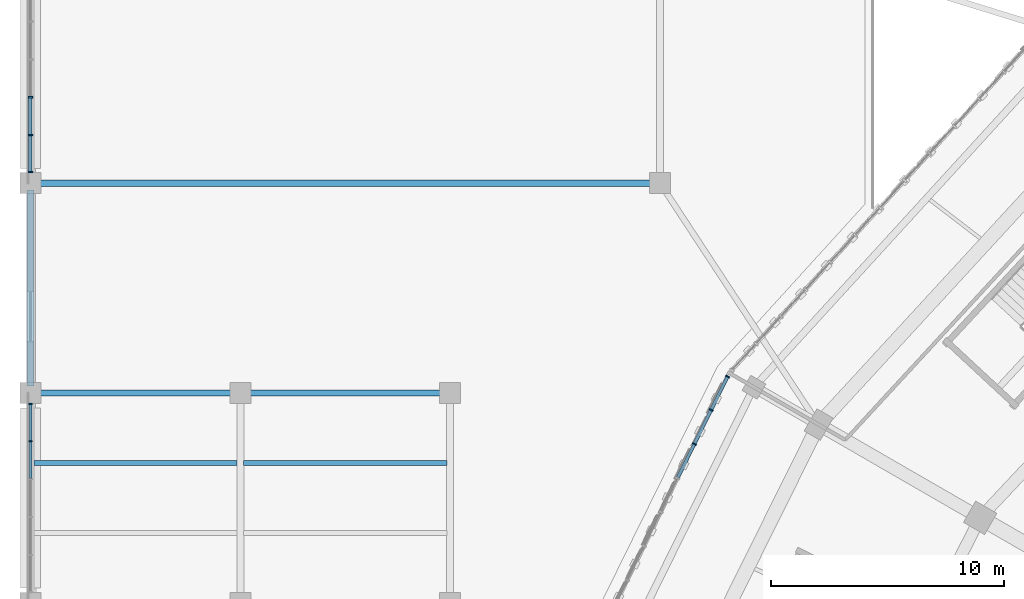
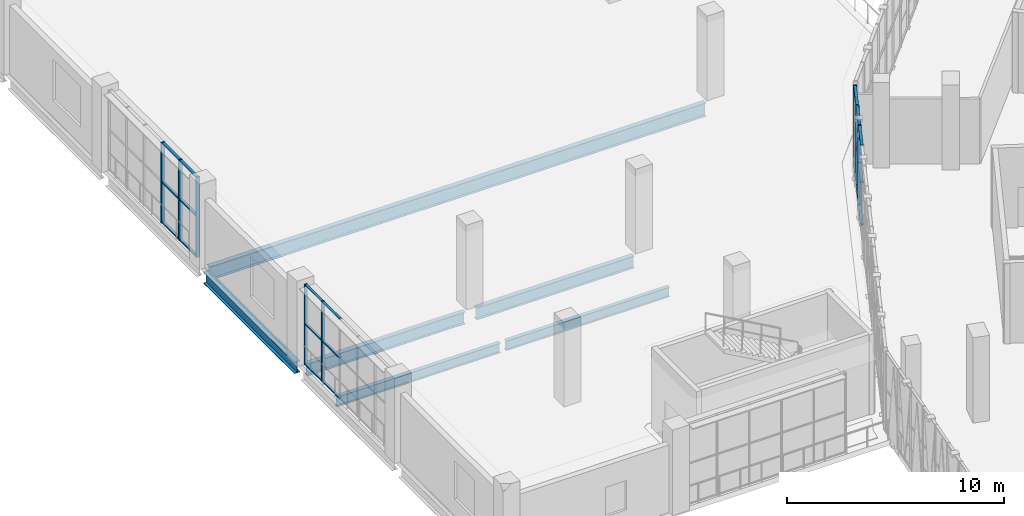
# One storey, part 43 of 183: 29 members, 6 beams, 3 elements without a shape of their own.
"""IFC4 building model written with IfcOpenShell, lengths in metres."""

from ifc_helpers import new_model, si_unit, direction, frame, origin, origin_2d, place, context, subcontext, project, spatial, rectangle, i_section, extrude, material, material_profile, profile_set, type_object, element, aggregate, save


model = new_model("IFC4")

# Units and contexts
model_context = context("Model", 3, precision=1e-05, world=origin(), true_north=direction((0.0, 1.0)))
body_context = subcontext(model_context, "Body", "Model", "MODEL_VIEW")
ifc_project = project(units=[si_unit("LENGTHUNIT", "METRE"), si_unit("AREAUNIT", "SQUARE_METRE"), si_unit("VOLUMEUNIT", "CUBIC_METRE"), si_unit("PLANEANGLEUNIT", "RADIAN"), si_unit("MASSUNIT", "GRAM", prefix="KILO")], contexts=[model_context])

# Site, building, storey
site_placement = place(None, origin())
site = spatial("IfcSite", under=ifc_project, at=site_placement, CompositionType="ELEMENT")
building_placement = place(site_placement, origin())
building = spatial("IfcBuilding", under=site, at=building_placement, Name="Zevraka Park Crest Stadium", CompositionType="ELEMENT")
storey_placement = place(building_placement, frame((0.0, 0.0, 5.39990234375)))
storey = spatial("IfcBuildingStorey", under=building, at=storey_placement, Name="L01", CompositionType="ELEMENT", Elevation=5.39990234375)

# Beams
ifc_material_1 = material(Name="Steel S355", Category="steel")
ifc_material_profile_1 = material_profile(ifc_material_1, i_section(OverallWidth=0.253662109375, OverallDepth=0.68359375, WebThickness=0.012451171875, FlangeThickness=0.01904296875, at=origin_2d()), Name="UKB 686x254x140")
ifc_profile_set_1 = profile_set([ifc_material_profile_1], Name="Steel S355")
beam_type_1 = type_object("IfcBeamType", Name="BG05", PredefinedType="BEAM", material=ifc_profile_set_1)
for number, where, z_axis, x_axis, name in (
    (1, (0.300048828125, 131.0, -0.649658203125), (1.0, 0.0, 0.0), (0.0, 1.0, 0.0), "Wing Girder BG05 L01-12/Q"),
    (2, (9.300048828125, 131.0, -0.649658203125), (1.0, 0.0, 0.0), (0.0, 1.0, 0.0), "Wing Girder BG05 L01-23/Q"),
):
    element("IfcBeam", number, at=place(storey_placement, frame(where, z_axis=z_axis, x_axis=x_axis)), inside=storey, type_object=beam_type_1, Name=name, PredefinedType="BEAM", context=body_context, shape_type="SweptSolid", body=[
        extrude(i_section(OverallWidth=0.253662109375, OverallDepth=0.68359375, WebThickness=0.012451171875, FlangeThickness=0.01904296875, at=origin_2d()), origin(), (0.0, 0.0, 1.0), 8.39990234375),
    ])
ifc_material_2 = material(Name="Steel S355", Category="steel")
ifc_material_profile_2 = material_profile(ifc_material_2, i_section(OverallWidth=0.300048828125, OverallDepth=0.64990234375, WebThickness=0.01611328125, FlangeThickness=0.031005859375, at=origin_2d()), Name="HEB 650")
ifc_profile_set_2 = profile_set([ifc_material_profile_2], Name="Steel S355")
beam_type_2 = type_object("IfcBeamType", Name="BG07", PredefinedType="BEAM", material=ifc_profile_set_2)
beam_1_placement = place(storey_placement, frame((0.0, 131.300048828125, -0.6328125), z_axis=(0.0, 1.0, 0.0), x_axis=(-1.0, 0.0, 0.0)))
element("IfcBeam", 3, at=beam_1_placement, inside=storey, type_object=beam_type_2, Name="Wing Girder BG07 L01-1/QR", PredefinedType="BEAM", context=body_context, shape_type="SweptSolid", body=[
    extrude(i_section(OverallWidth=0.300048828125, OverallDepth=0.64990234375, WebThickness=0.01611328125, FlangeThickness=0.031005859375, at=origin_2d()), origin(), (0.0, 0.0, 1.0), 8.39990234375),
])
ifc_material_3 = material(Name="Steel S355", Category="steel")
ifc_material_profile_3 = material_profile(ifc_material_3, i_section(OverallWidth=0.26708984375, OverallDepth=0.761962890625, WebThickness=0.014404296875, FlangeThickness=0.021484375, at=origin_2d()), Name="UKB 762x267x173")
ifc_profile_set_3 = profile_set([ifc_material_profile_3], Name="Steel S355")
beam_type_3 = type_object("IfcBeamType", Name="BG08", PredefinedType="BEAM", material=ifc_profile_set_3)
beam_2_placement = place(storey_placement, frame((0.300048828125, 140.0, -0.68896484375), z_axis=(1.0, 0.0, 0.0), x_axis=(0.0, 1.0, 0.0)))
element("IfcBeam", 4, at=beam_2_placement, inside=storey, type_object=beam_type_3, Name="Wing Girder BG08 L01-14/R", PredefinedType="BEAM", context=body_context, shape_type="SweptSolid", body=[
    extrude(i_section(OverallWidth=0.26708984375, OverallDepth=0.761962890625, WebThickness=0.014404296875, FlangeThickness=0.021484375, at=origin_2d()), origin(), (0.0, 0.0, 1.0), 26.39990234375),
])

# Curtain wall, members
ifc_material_4 = material(Name="Anodised architectural aluminium and laminated safety glass", Category="aluminium")
curtain_wall_type_1 = type_object("IfcCurtainWallType", Name="CW28", PredefinedType="NOTDEFINED", material=ifc_material_4)
curtain_wall_1_placement = place(storey_placement, origin())
curtain_wall_1 = element("IfcCurtainWall", 5, at=curtain_wall_1_placement, inside=storey, type_object=curtain_wall_type_1, Name="Wing Curtain Wall CW28 L01-NW-W-2", PredefinedType="NOTDEFINED")
ifc_material_5 = material(Name="Anodised architectural aluminium", Category="aluminium")
ifc_material_profile_4 = material_profile(ifc_material_5, rectangle(XDim=0.159912109375, YDim=0.06005859375, at=origin_2d()), Name="ALU MULLION 160x60")
ifc_profile_set_4 = profile_set([ifc_material_profile_4], Name="Anodised architectural aluminium")
member_type_1 = type_object("IfcMemberType", Name="CM01", PredefinedType="MULLION", material=ifc_profile_set_4)
member_1_placement = place(storey_placement, frame((0.0, 128.93603515625, 0.0), z_axis=(0.0, 0.0, 1.0), x_axis=(-1.0, 0.0, 0.0)))
member_1 = element("IfcMember", 6, at=member_1_placement, type_object=member_type_1, Name="CW28 mullion 5", PredefinedType="MULLION", context=body_context, shape_type="SweptSolid", body=[
    extrude(rectangle(XDim=0.159912109375, YDim=0.06005859375, at=origin_2d()), origin(), (0.0, 0.0, 1.0), 4.52001953125),
])
member_2_placement = place(storey_placement, frame((0.0, 130.530029296875, 0.0), z_axis=(0.0, 0.0, 1.0), x_axis=(-1.0, 0.0, 0.0)))
member_2 = element("IfcMember", 7, at=member_2_placement, type_object=member_type_1, Name="CW28 mullion 6", PredefinedType="MULLION", context=body_context, shape_type="SweptSolid", body=[
    extrude(rectangle(XDim=0.159912109375, YDim=0.06005859375, at=origin_2d()), origin(), (0.0, 0.0, 1.0), 4.52001953125),
])

ifc_material_6 = material(Name="Anodised architectural aluminium and laminated safety glass", Category="aluminium")
curtain_wall_type_2 = type_object("IfcCurtainWallType", Name="CW02", PredefinedType="NOTDEFINED", material=ifc_material_6)
curtain_wall_2_placement = place(storey_placement, origin())
curtain_wall_2 = element("IfcCurtainWall", 8, at=curtain_wall_2_placement, inside=storey, type_object=curtain_wall_type_2, Name="Unitised Ring Curtain Wall CW02 L01-10", PredefinedType="NOTDEFINED")
ifc_material_7 = material(Name="Anodised architectural aluminium", Category="aluminium")
ifc_material_profile_5 = material_profile(ifc_material_7, rectangle(XDim=0.179931640625, YDim=0.06494140625, at=origin_2d()), Name="ALU MULLION 180x65")
ifc_profile_set_5 = profile_set([ifc_material_profile_5], Name="Anodised architectural aluminium")
member_type_2 = type_object("IfcMemberType", Name="CM02", PredefinedType="MULLION", material=ifc_profile_set_5)
member_3_placement = place(storey_placement, frame((29.896728515625, 131.7099609375, 0.0), z_axis=(0.0, 0.0, 1.0), x_axis=(0.897252732312, -0.44151730924, 0.0)))
member_3 = element("IfcMember", 9, at=member_3_placement, type_object=member_type_2, Name="CW02 mullion 1", PredefinedType="MULLION", context=body_context, shape_type="SweptSolid", body=[
    extrude(rectangle(XDim=0.179931640625, YDim=0.06494140625, at=origin_2d()), origin(), (0.0, 0.0, 1.0), 4.52001953125),
])
member_4_placement = place(storey_placement, frame((29.19189453125, 130.27783203125, 0.0), z_axis=(0.0, 0.0, 1.0), x_axis=(0.897252732312, -0.44151730924, 0.0)))
member_4 = element("IfcMember", 10, at=member_4_placement, type_object=member_type_2, Name="CW02 mullion 2", PredefinedType="MULLION", context=body_context, shape_type="SweptSolid", body=[
    extrude(rectangle(XDim=0.179931640625, YDim=0.06494140625, at=origin_2d()), origin(), (0.0, 0.0, 1.0), 4.52001953125),
])
member_5_placement = place(storey_placement, frame((28.472900390625, 128.816650390625, 0.0), z_axis=(0.0, 0.0, 1.0), x_axis=(0.897252732312, -0.44151730924, 0.0)))
member_5 = element("IfcMember", 11, at=member_5_placement, type_object=member_type_2, Name="CW02 mullion 3", PredefinedType="MULLION", context=body_context, shape_type="SweptSolid", body=[
    extrude(rectangle(XDim=0.179931640625, YDim=0.06494140625, at=origin_2d()), origin(), (0.0, 0.0, 1.0), 4.52001953125),
])

ifc_material_8 = material(Name="Anodised architectural aluminium and laminated safety glass", Category="aluminium")
curtain_wall_type_3 = type_object("IfcCurtainWallType", Name="CW30", PredefinedType="NOTDEFINED", material=ifc_material_8)
curtain_wall_3_placement = place(storey_placement, origin())
curtain_wall_3 = element("IfcCurtainWall", 12, at=curtain_wall_3_placement, inside=storey, type_object=curtain_wall_type_3, Name="Wing Curtain Wall CW30 L01-NW-W-4", PredefinedType="NOTDEFINED")
ifc_material_9 = material(Name="Anodised architectural aluminium", Category="aluminium")
ifc_material_profile_6 = material_profile(ifc_material_9, rectangle(XDim=0.199951171875, YDim=0.070068359375, at=origin_2d()), Name="ALU MULLION 200x70")
ifc_profile_set_6 = profile_set([ifc_material_profile_6], Name="Anodised architectural aluminium")
member_type_3 = type_object("IfcMemberType", Name="CM03", PredefinedType="MULLION", material=ifc_profile_set_6)
member_6_placement = place(storey_placement, frame((0.0, 140.47509765625, 0.0), z_axis=(0.0, 0.0, 1.0), x_axis=(-1.0, 0.0, 0.0)))
member_6 = element("IfcMember", 13, at=member_6_placement, type_object=member_type_3, Name="CW30 mullion 1", PredefinedType="MULLION", context=body_context, shape_type="SweptSolid", body=[
    extrude(rectangle(XDim=0.199951171875, YDim=0.070068359375, at=origin_2d()), origin(), (0.0, 0.0, 1.0), 4.52001953125),
])
member_7_placement = place(storey_placement, frame((0.0, 142.06396484375, 0.0), z_axis=(0.0, 0.0, 1.0), x_axis=(-1.0, 0.0, 0.0)))
member_7 = element("IfcMember", 14, at=member_7_placement, type_object=member_type_3, Name="CW30 mullion 2", PredefinedType="MULLION", context=body_context, shape_type="SweptSolid", body=[
    extrude(rectangle(XDim=0.199951171875, YDim=0.070068359375, at=origin_2d()), origin(), (0.0, 0.0, 1.0), 4.52001953125),
])
member_8_placement = place(storey_placement, frame((0.0, 143.68798828125, 0.0), z_axis=(0.0, 0.0, 1.0), x_axis=(-1.0, 0.0, 0.0)))
member_8 = element("IfcMember", 15, at=member_8_placement, type_object=member_type_3, Name="CW30 mullion 3", PredefinedType="MULLION", context=body_context, shape_type="SweptSolid", body=[
    extrude(rectangle(XDim=0.199951171875, YDim=0.070068359375, at=origin_2d()), origin(), (0.0, 0.0, 1.0), 4.52001953125),
])

# Member
ifc_material_10 = material(Name="Anodised architectural aluminium", Category="aluminium")
ifc_material_profile_7 = material_profile(ifc_material_10, rectangle(XDim=0.1201171875, YDim=0.06005859375, at=origin_2d()), Name="ALU TRANSOM 120x60")
ifc_profile_set_7 = profile_set([ifc_material_profile_7], Name="Anodised architectural aluminium")
member_type_4 = type_object("IfcMemberType", Name="CT01", PredefinedType="USERDEFINED", material=ifc_profile_set_7)
member_9_placement = place(storey_placement, frame((0.0, 127.342041015625, 0.030029296875), z_axis=(0.0, 1.0, 0.0), x_axis=(-1.0, 0.0, 0.0)))
member_9 = element("IfcMember", 16, at=member_9_placement, type_object=member_type_4, Name="CW28 transom 4.1", ObjectType="TRANSOM", PredefinedType="USERDEFINED", context=body_context, shape_type="SweptSolid", body=[
    extrude(rectangle(XDim=0.1201171875, YDim=0.06005859375, at=origin_2d()), origin(), (0.0, 0.0, 1.0), 1.56396484375),
])

member_10_placement = place(storey_placement, frame((0.0, 127.342041015625, 2.300048828125), z_axis=(0.0, 1.0, 0.0), x_axis=(-1.0, 0.0, 0.0)))
member_10 = element("IfcMember", 17, at=member_10_placement, type_object=member_type_4, Name="CW28 transom 4.2", ObjectType="TRANSOM", PredefinedType="USERDEFINED", context=body_context, shape_type="SweptSolid", body=[
    extrude(rectangle(XDim=0.1201171875, YDim=0.06005859375, at=origin_2d()), origin(), (0.0, 0.0, 1.0), 1.56396484375),
])

member_11_placement = place(storey_placement, frame((0.0, 127.342041015625, 4.489990234375), z_axis=(0.0, 1.0, 0.0), x_axis=(-1.0, 0.0, 0.0)))
member_11 = element("IfcMember", 18, at=member_11_placement, type_object=member_type_4, Name="CW28 transom 4.3", ObjectType="TRANSOM", PredefinedType="USERDEFINED", context=body_context, shape_type="SweptSolid", body=[
    extrude(rectangle(XDim=0.1201171875, YDim=0.06005859375, at=origin_2d()), origin(), (0.0, 0.0, 1.0), 1.56396484375),
])

member_12_placement = place(storey_placement, frame((0.0, 128.966064453125, 0.030029296875), z_axis=(0.0, 1.0, 0.0), x_axis=(-1.0, 0.0, 0.0)))
member_12 = element("IfcMember", 19, at=member_12_placement, type_object=member_type_4, Name="CW28 transom 5.1", ObjectType="TRANSOM", PredefinedType="USERDEFINED", context=body_context, shape_type="SweptSolid", body=[
    extrude(rectangle(XDim=0.1201171875, YDim=0.06005859375, at=origin_2d()), origin(), (0.0, 0.0, 1.0), 1.533935546875),
])

member_13_placement = place(storey_placement, frame((0.0, 128.966064453125, 2.300048828125), z_axis=(0.0, 1.0, 0.0), x_axis=(-1.0, 0.0, 0.0)))
member_13 = element("IfcMember", 20, at=member_13_placement, type_object=member_type_4, Name="CW28 transom 5.2", ObjectType="TRANSOM", PredefinedType="USERDEFINED", context=body_context, shape_type="SweptSolid", body=[
    extrude(rectangle(XDim=0.1201171875, YDim=0.06005859375, at=origin_2d()), origin(), (0.0, 0.0, 1.0), 1.533935546875),
])

member_14_placement = place(storey_placement, frame((0.0, 128.966064453125, 4.489990234375), z_axis=(0.0, 1.0, 0.0), x_axis=(-1.0, 0.0, 0.0)))
member_14 = element("IfcMember", 21, at=member_14_placement, type_object=member_type_4, Name="CW28 transom 5.3", ObjectType="TRANSOM", PredefinedType="USERDEFINED", context=body_context, shape_type="SweptSolid", body=[
    extrude(rectangle(XDim=0.1201171875, YDim=0.06005859375, at=origin_2d()), origin(), (0.0, 0.0, 1.0), 1.533935546875),
])

aggregate(curtain_wall_1, [member_1, member_2, member_9, member_10, member_11, member_12, member_13, member_14])

ifc_material_11 = material(Name="Anodised architectural aluminium", Category="aluminium")
ifc_material_profile_8 = material_profile(ifc_material_11, rectangle(XDim=0.139892578125, YDim=0.06494140625, at=origin_2d()), Name="ALU TRANSOM 140x65")
ifc_profile_set_8 = profile_set([ifc_material_profile_8], Name="Anodised architectural aluminium")
member_type_5 = type_object("IfcMemberType", Name="CT02", PredefinedType="USERDEFINED", material=ifc_profile_set_8)
member_15_placement = place(storey_placement, frame((29.88232421875, 131.6806640625, 0.03271484375), z_axis=(-0.441591204786, -0.897216366244, 0.0), x_axis=(0.897216366244, -0.441591204786, 0.0)))
member_15 = element("IfcMember", 22, at=member_15_placement, type_object=member_type_5, Name="CW02 transom 1.1", ObjectType="TRANSOM", PredefinedType="USERDEFINED", context=body_context, shape_type="SweptSolid", body=[
    extrude(rectangle(XDim=0.139892578125, YDim=0.06494140625, at=origin_2d()), origin(), (0.0, 0.0, 1.0), 1.531005859375),
])

member_16_placement = place(storey_placement, frame((29.88232421875, 131.6806640625, 2.400146484375), z_axis=(-0.441591204786, -0.897216366244, 0.0), x_axis=(0.897216366244, -0.441591204786, 0.0)))
member_16 = element("IfcMember", 23, at=member_16_placement, type_object=member_type_5, Name="CW02 transom 1.2", ObjectType="TRANSOM", PredefinedType="USERDEFINED", context=body_context, shape_type="SweptSolid", body=[
    extrude(rectangle(XDim=0.139892578125, YDim=0.06494140625, at=origin_2d()), origin(), (0.0, 0.0, 1.0), 1.531005859375),
])

member_17_placement = place(storey_placement, frame((29.88232421875, 131.6806640625, 4.487548828125), z_axis=(-0.441591204786, -0.897216366244, 0.0), x_axis=(0.897216366244, -0.441591204786, 0.0)))
member_17 = element("IfcMember", 24, at=member_17_placement, type_object=member_type_5, Name="CW02 transom 1.3", ObjectType="TRANSOM", PredefinedType="USERDEFINED", context=body_context, shape_type="SweptSolid", body=[
    extrude(rectangle(XDim=0.139892578125, YDim=0.06494140625, at=origin_2d()), origin(), (0.0, 0.0, 1.0), 1.531005859375),
])

member_18_placement = place(storey_placement, frame((29.177734375, 130.248779296875, 0.03271484375), z_axis=(-0.441583474331, -0.897220170971, 0.0), x_axis=(0.897220170971, -0.441583474331, 0.0)))
member_18 = element("IfcMember", 25, at=member_18_placement, type_object=member_type_5, Name="CW02 transom 2.1", ObjectType="TRANSOM", PredefinedType="USERDEFINED", context=body_context, shape_type="SweptSolid", body=[
    extrude(rectangle(XDim=0.139892578125, YDim=0.06494140625, at=origin_2d()), origin(), (0.0, 0.0, 1.0), 1.5634765625),
])

member_19_placement = place(storey_placement, frame((29.177734375, 130.248779296875, 2.400146484375), z_axis=(-0.441583474331, -0.897220170971, 0.0), x_axis=(0.897220170971, -0.441583474331, 0.0)))
member_19 = element("IfcMember", 26, at=member_19_placement, type_object=member_type_5, Name="CW02 transom 2.2", ObjectType="TRANSOM", PredefinedType="USERDEFINED", context=body_context, shape_type="SweptSolid", body=[
    extrude(rectangle(XDim=0.139892578125, YDim=0.06494140625, at=origin_2d()), origin(), (0.0, 0.0, 1.0), 1.5634765625),
])

member_20_placement = place(storey_placement, frame((29.177734375, 130.248779296875, 4.487548828125), z_axis=(-0.441583474331, -0.897220170971, 0.0), x_axis=(0.897220170971, -0.441583474331, 0.0)))
member_20 = element("IfcMember", 27, at=member_20_placement, type_object=member_type_5, Name="CW02 transom 2.3", ObjectType="TRANSOM", PredefinedType="USERDEFINED", context=body_context, shape_type="SweptSolid", body=[
    extrude(rectangle(XDim=0.139892578125, YDim=0.06494140625, at=origin_2d()), origin(), (0.0, 0.0, 1.0), 1.5634765625),
])

member_21_placement = place(storey_placement, frame((28.458740234375, 128.78759765625, 0.03271484375), z_axis=(-0.441583474331, -0.897220170971, 0.0), x_axis=(0.897220170971, -0.441583474331, 0.0)))
member_21 = element("IfcMember", 28, at=member_21_placement, type_object=member_type_5, Name="CW02 transom 3.1", ObjectType="TRANSOM", PredefinedType="USERDEFINED", context=body_context, shape_type="SweptSolid", body=[
    extrude(rectangle(XDim=0.139892578125, YDim=0.06494140625, at=origin_2d()), origin(), (0.0, 0.0, 1.0), 1.5634765625),
])

member_22_placement = place(storey_placement, frame((28.458740234375, 128.78759765625, 2.400146484375), z_axis=(-0.441583474331, -0.897220170971, 0.0), x_axis=(0.897220170971, -0.441583474331, 0.0)))
member_22 = element("IfcMember", 29, at=member_22_placement, type_object=member_type_5, Name="CW02 transom 3.2", ObjectType="TRANSOM", PredefinedType="USERDEFINED", context=body_context, shape_type="SweptSolid", body=[
    extrude(rectangle(XDim=0.139892578125, YDim=0.06494140625, at=origin_2d()), origin(), (0.0, 0.0, 1.0), 1.5634765625),
])

member_23_placement = place(storey_placement, frame((28.458740234375, 128.78759765625, 4.487548828125), z_axis=(-0.441583474331, -0.897220170971, 0.0), x_axis=(0.897220170971, -0.441583474331, 0.0)))
member_23 = element("IfcMember", 30, at=member_23_placement, type_object=member_type_5, Name="CW02 transom 3.3", ObjectType="TRANSOM", PredefinedType="USERDEFINED", context=body_context, shape_type="SweptSolid", body=[
    extrude(rectangle(XDim=0.139892578125, YDim=0.06494140625, at=origin_2d()), origin(), (0.0, 0.0, 1.0), 1.5634765625),
])

aggregate(curtain_wall_2, [member_3, member_4, member_5, member_15, member_16, member_17, member_18, member_19, member_20, member_21, member_22, member_23])

ifc_material_12 = material(Name="Anodised architectural aluminium", Category="aluminium")
ifc_material_profile_9 = material_profile(ifc_material_12, rectangle(XDim=0.14990234375, YDim=0.070068359375, at=origin_2d()), Name="ALU TRANSOM 150x70")
ifc_profile_set_9 = profile_set([ifc_material_profile_9], Name="Anodised architectural aluminium")
member_type_6 = type_object("IfcMemberType", Name="CT03", PredefinedType="USERDEFINED", material=ifc_profile_set_9)
member_24_placement = place(storey_placement, frame((0.0, 140.510009765625, 0.03515625), z_axis=(0.0, 1.0, 0.0), x_axis=(-1.0, 0.0, 0.0)))
member_24 = element("IfcMember", 31, at=member_24_placement, type_object=member_type_6, Name="CW30 transom 1.1", ObjectType="TRANSOM", PredefinedType="USERDEFINED", context=body_context, shape_type="SweptSolid", body=[
    extrude(rectangle(XDim=0.14990234375, YDim=0.070068359375, at=origin_2d()), origin(), (0.0, 0.0, 1.0), 1.51904296875),
])

member_25_placement = place(storey_placement, frame((0.0, 140.510009765625, 2.300048828125), z_axis=(0.0, 1.0, 0.0), x_axis=(-1.0, 0.0, 0.0)))
member_25 = element("IfcMember", 32, at=member_25_placement, type_object=member_type_6, Name="CW30 transom 1.2", ObjectType="TRANSOM", PredefinedType="USERDEFINED", context=body_context, shape_type="SweptSolid", body=[
    extrude(rectangle(XDim=0.14990234375, YDim=0.070068359375, at=origin_2d()), origin(), (0.0, 0.0, 1.0), 1.51904296875),
])

member_26_placement = place(storey_placement, frame((0.0, 140.510009765625, 4.485107421875), z_axis=(0.0, 1.0, 0.0), x_axis=(-1.0, 0.0, 0.0)))
member_26 = element("IfcMember", 33, at=member_26_placement, type_object=member_type_6, Name="CW30 transom 1.3", ObjectType="TRANSOM", PredefinedType="USERDEFINED", context=body_context, shape_type="SweptSolid", body=[
    extrude(rectangle(XDim=0.14990234375, YDim=0.070068359375, at=origin_2d()), origin(), (0.0, 0.0, 1.0), 1.51904296875),
])

member_27_placement = place(storey_placement, frame((0.0, 142.09912109375, 0.03515625), z_axis=(0.0, 1.0, 0.0), x_axis=(-1.0, 0.0, 0.0)))
member_27 = element("IfcMember", 34, at=member_27_placement, type_object=member_type_6, Name="CW30 transom 2.1", ObjectType="TRANSOM", PredefinedType="USERDEFINED", context=body_context, shape_type="SweptSolid", body=[
    extrude(rectangle(XDim=0.14990234375, YDim=0.070068359375, at=origin_2d()), origin(), (0.0, 0.0, 1.0), 1.553955078125),
])

member_28_placement = place(storey_placement, frame((0.0, 142.09912109375, 2.300048828125), z_axis=(0.0, 1.0, 0.0), x_axis=(-1.0, 0.0, 0.0)))
member_28 = element("IfcMember", 35, at=member_28_placement, type_object=member_type_6, Name="CW30 transom 2.2", ObjectType="TRANSOM", PredefinedType="USERDEFINED", context=body_context, shape_type="SweptSolid", body=[
    extrude(rectangle(XDim=0.14990234375, YDim=0.070068359375, at=origin_2d()), origin(), (0.0, 0.0, 1.0), 1.553955078125),
])

member_29_placement = place(storey_placement, frame((0.0, 142.09912109375, 4.485107421875), z_axis=(0.0, 1.0, 0.0), x_axis=(-1.0, 0.0, 0.0)))
member_29 = element("IfcMember", 36, at=member_29_placement, type_object=member_type_6, Name="CW30 transom 2.3", ObjectType="TRANSOM", PredefinedType="USERDEFINED", context=body_context, shape_type="SweptSolid", body=[
    extrude(rectangle(XDim=0.14990234375, YDim=0.070068359375, at=origin_2d()), origin(), (0.0, 0.0, 1.0), 1.553955078125),
])

aggregate(curtain_wall_3, [member_6, member_7, member_8, member_24, member_25, member_26, member_27, member_28, member_29])

# Beams
ifc_material_13 = material(Name="Steel S355", Category="steel")
ifc_material_profile_10 = material_profile(ifc_material_13, i_section(OverallWidth=0.2099609375, OverallDepth=0.550048828125, WebThickness=0.010986328125, FlangeThickness=0.01708984375, at=origin_2d()), Name="IPE 550")
ifc_profile_set_10 = profile_set([ifc_material_profile_10], Name="Steel S355")
beam_type_4 = type_object("IfcBeamType", Name="SJ04", PredefinedType="JOIST", material=ifc_profile_set_10)
for number, where, z_axis, x_axis, name in (
    (37, (0.14501953125, 128.0, -0.5849609375), (1.0, 0.0, 0.0), (0.0, 1.0, 0.0), "Wing Joist SJ04 L01-1/P-2"),
    (38, (9.14501953125, 128.0, -0.5849609375), (1.0, 0.0, 0.0), (0.0, 1.0, 0.0), "Wing Joist SJ04 L01-2/P-2"),
):
    element("IfcBeam", number, at=place(storey_placement, frame(where, z_axis=z_axis, x_axis=x_axis)), inside=storey, type_object=beam_type_4, Name=name, PredefinedType="JOIST", context=body_context, shape_type="SweptSolid", body=[
        extrude(i_section(OverallWidth=0.2099609375, OverallDepth=0.550048828125, WebThickness=0.010986328125, FlangeThickness=0.01708984375, at=origin_2d()), origin(), (0.0, 0.0, 1.0), 8.7099609375),
    ])

save(model, "model.ifc")
